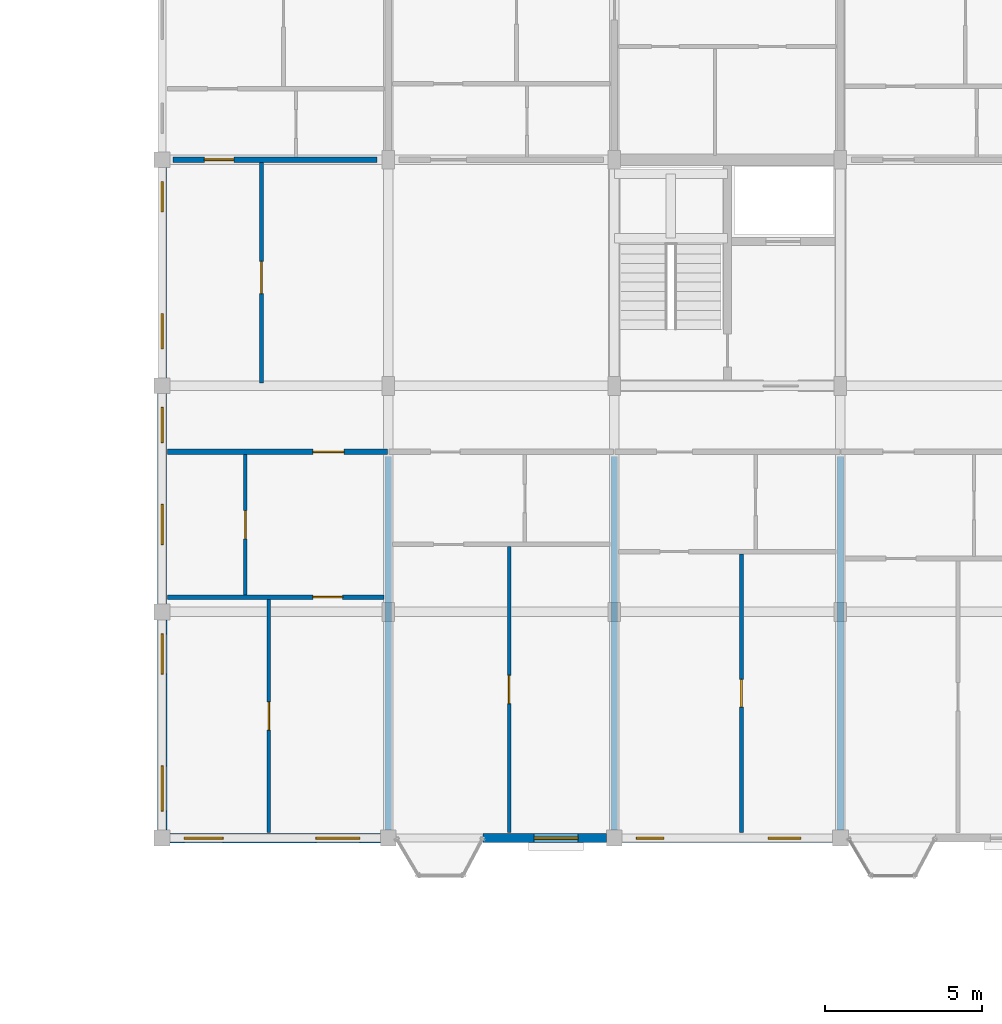
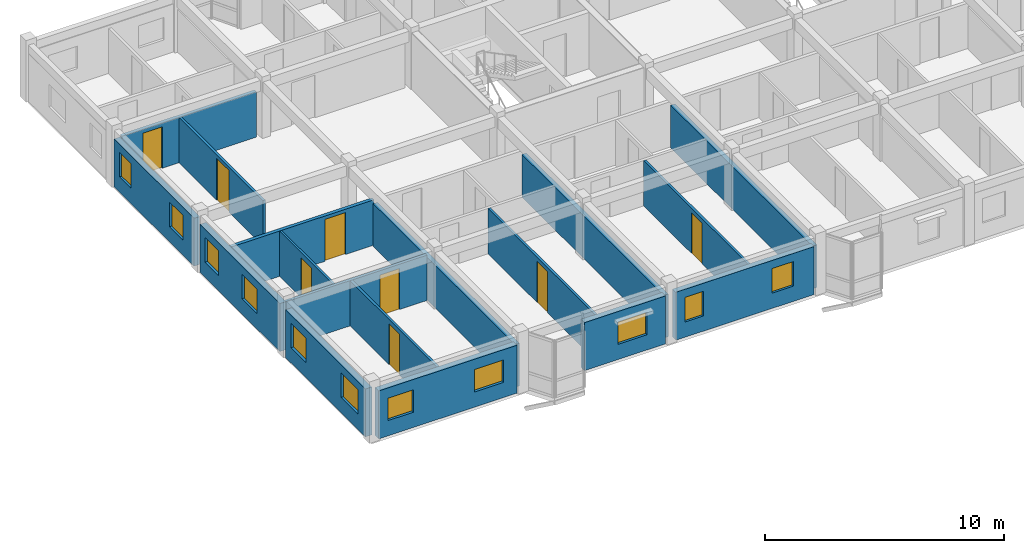
# One storey, part 55 of 65: 17 walls, 11 windows, 8 doors, 19 openings.
"""IFC4 building model written with IfcOpenShell, lengths in metres."""

from ifc_helpers import new_model, si_unit, direction, frame, frame_2d, origin, place, context, subcontext, project, spatial, rectangle, extrude, material, layer, layer_set, type_object, element, fill, save


model = new_model("IFC4")

# Units and contexts
model_context = context("Model", 3, precision=1e-05, world=origin(), true_north=direction((0.0, 1.0)))
body_context = subcontext(model_context, "Body", "Model", "MODEL_VIEW")
ifc_project = project(units=[si_unit("LENGTHUNIT", "METRE"), si_unit("AREAUNIT", "SQUARE_METRE"), si_unit("VOLUMEUNIT", "CUBIC_METRE"), si_unit("PLANEANGLEUNIT", "RADIAN"), si_unit("MASSUNIT", "GRAM", prefix="KILO"), si_unit("THERMODYNAMICTEMPERATUREUNIT", "KELVIN"), si_unit("POWERUNIT", "WATT")], contexts=[model_context])

# Site, building, storey
site_placement = place(None, origin())
site = spatial("IfcSite", under=ifc_project, at=site_placement, CompositionType="ELEMENT")
building_placement = place(site_placement, origin())
building = spatial("IfcBuilding", under=site, at=building_placement, Name="Tavuni Mirador Residences", CompositionType="ELEMENT")
storey_placement = place(building_placement, frame((0.0, 0.0, 29.699951171875)))
storey = spatial("IfcBuildingStorey", under=building, at=storey_placement, Name="L09", CompositionType="ELEMENT", Elevation=29.699951171875)

# Wall, opening, door
ifc_material_1 = material(Name="Precast concrete C40/50", Category="concrete")
ifc_layer_1 = layer(ifc_material_1, 0.1650390625, Name="Precast concrete C40/50", Category="concrete")
ifc_layer_set_1 = layer_set([ifc_layer_1], Name="Precast concrete C40/50")
wall_type_1 = type_object("IfcWallType", Name="WT-CORR165", PredefinedType="PARTITIONING", material=ifc_layer_set_1)
wall_1_placement = place(storey_placement, frame((10.97509765625, 156.300048828125, 0.0), z_axis=(0.0, 0.0, 1.0), x_axis=(1.0, 0.0, 0.0)))
wall_1 = element("IfcWall", 1, at=wall_1_placement, inside=storey, type_object=wall_type_1, Name="CORW-BLK-C-L09-0-00", PredefinedType="PARTITIONING", context=body_context, shape_type="SweptSolid", body=[
    extrude(rectangle(XDim=7.0048828125, YDim=0.1650390625, at=frame_2d((3.50244140625, 0.0))), origin(), (0.0, 0.0, 1.0), 2.320068359375),
])
opening_1_placement = place(wall_1_placement, frame((4.625, 0.0, 0.0)))
opening_1 = element("IfcOpeningElement", 2, at=opening_1_placement, cuts=wall_1, Name="Opening D-03", PredefinedType="OPENING", context=body_context, shape_type="SweptSolid", body=[
    extrude(rectangle(XDim=1.0, YDim=2.14990234375, at=frame_2d((0.5, 1.074951171875))), frame((0.0, 0.092529296875, 0.0), z_axis=(0.0, -1.0, 0.0), x_axis=(1.0, 0.0, 0.0)), (0.0, 0.0, 1.0), 0.18505859375),
])
ifc_material_2 = material(Name="Solid core iroko timber", Category="wood")
door_type_1 = type_object("IfcDoorType", Name="DT-FD60-1000", OperationType="NOTDEFINED", PredefinedType="DOOR", material=ifc_material_2)
door_1_placement = place(opening_1_placement, origin())
door_1 = element("IfcDoor", 3, at=door_1_placement, inside=storey, type_object=door_type_1, Name="DR-2751", OperationType="SINGLE_SWING_RIGHT", OverallHeight=2.14990234375, OverallWidth=1.0, PredefinedType="DOOR", context=body_context, shape_type="SweptSolid", body=[
    extrude(rectangle(XDim=1.0, YDim=2.14990234375, at=frame_2d((0.5, 1.074951171875))), frame((0.0, 0.02490234375, 0.0), z_axis=(0.0, -1.0, 0.0), x_axis=(1.0, 0.0, 0.0)), (0.0, 0.0, 1.0), 0.050048828125),
])
fill(opening_1, door_1)

wall_2_placement = place(storey_placement, frame((11.14990234375, 165.60009765625, 0.0), z_axis=(0.0, 0.0, 1.0), x_axis=(1.0, 0.0, 0.0)))
wall_2 = element("IfcWall", 4, at=wall_2_placement, inside=storey, type_object=wall_type_1, Name="CORW-BLK-C-L09-1-00", PredefinedType="PARTITIONING", context=body_context, shape_type="SweptSolid", body=[
    extrude(rectangle(XDim=6.5, YDim=0.1650390625, at=frame_2d((3.25, 0.0))), origin(), (0.0, 0.0, 1.0), 2.320068359375),
])
opening_2_placement = place(wall_2_placement, frame((1.0, 0.0, 0.0)))
opening_2 = element("IfcOpeningElement", 5, at=opening_2_placement, cuts=wall_2, Name="Opening D-19", PredefinedType="OPENING", context=body_context, shape_type="SweptSolid", body=[
    extrude(rectangle(XDim=0.93994140625, YDim=2.1201171875, at=frame_2d((0.469970703125, 1.06005859375))), frame((0.0, 0.092529296875, 0.0), z_axis=(0.0, -1.0, 0.0), x_axis=(1.0, 0.0, 0.0)), (0.0, 0.0, 1.0), 0.18505859375),
])
door_type_2 = type_object("IfcDoorType", Name="DT-FD60-940", OperationType="NOTDEFINED", PredefinedType="DOOR", material=ifc_material_2)
door_2_placement = place(opening_2_placement, origin())
door_2 = element("IfcDoor", 6, at=door_2_placement, inside=storey, type_object=door_type_2, Name="DR-2758", OperationType="SINGLE_SWING_LEFT", OverallHeight=2.1201171875, OverallWidth=0.93994140625, PredefinedType="DOOR", context=body_context, shape_type="SweptSolid", body=[
    extrude(rectangle(XDim=0.93994140625, YDim=2.1201171875, at=frame_2d((0.469970703125, 1.06005859375))), frame((0.0, 0.02490234375, 0.0), z_axis=(0.0, -1.0, 0.0), x_axis=(1.0, 0.0, 0.0)), (0.0, 0.0, 1.0), 0.050048828125),
])
fill(opening_2, door_2)

# Wall, openings, windows
ifc_material_3 = material(Name="Sgraffito lime-rendered precast concrete C40/50", Category="concrete")
ifc_layer_2 = layer(ifc_material_3, 0.27490234375, Name="Sgraffito lime-rendered precast concrete C40/50", Category="concrete")
ifc_layer_set_2 = layer_set([ifc_layer_2], Name="Sgraffito lime-rendered precast concrete C40/50")
wall_type_2 = type_object("IfcWallType", Name="WT-EXT-PC275", PredefinedType="SOLIDWALL", material=ifc_layer_set_2)
wall_3_placement = place(storey_placement, frame((25.449951171875, 144.0, 0.0), z_axis=(0.0, 0.0, 1.0), x_axis=(1.0, 0.0, 0.0)))
wall_3 = element("IfcWall", 7, at=wall_3_placement, inside=storey, type_object=wall_type_2, Name="EW-BLK-C-L09-S02", PredefinedType="SOLIDWALL", context=body_context, shape_type="SweptSolid", body=[
    extrude(rectangle(XDim=6.699951171875, YDim=0.27490234375, at=frame_2d((3.35009765625, 0.0))), origin(), (0.0, 0.0, 1.0), 2.455078125),
])
opening_3_placement = place(wall_3_placement, frame((0.449951171875, 0.0, 0.780029296875)))
opening_3 = element("IfcOpeningElement", 8, at=opening_3_placement, cuts=wall_3, Name="Opening WN-09", PredefinedType="OPENING", context=body_context, shape_type="SweptSolid", body=[
    extrude(rectangle(XDim=0.8798828125, YDim=1.260009765625, at=frame_2d((0.43994140625, 0.6298828125))), frame((0.0, 0.1474609375, 0.0), z_axis=(0.0, -1.0, 0.0), x_axis=(1.0, 0.0, 0.0)), (0.0, 0.0, 1.0), 0.294921875),
])
opening_4_placement = place(wall_3_placement, frame((4.64990234375, 0.0, 0.780029296875)))
opening_4 = element("IfcOpeningElement", 9, at=opening_4_placement, cuts=wall_3, Name="Opening WN-11", PredefinedType="OPENING", context=body_context, shape_type="SweptSolid", body=[
    extrude(rectangle(XDim=1.0400390625, YDim=1.260009765625, at=frame_2d((0.52001953125, 0.6298828125))), frame((0.0, 0.1474609375, 0.0), z_axis=(0.0, -1.0, 0.0), x_axis=(1.0, 0.0, 0.0)), (0.0, 0.0, 1.0), 0.294921875),
])
ifc_material_4 = material(Name="Laminated solar-control glass", Category="glass")
window_type_1 = type_object("IfcWindowType", Name="WNT-09", PartitioningType="SINGLE_PANEL", PredefinedType="WINDOW", material=ifc_material_4)
window_1_placement = place(opening_3_placement, origin())
window_1 = element("IfcWindow", 10, at=window_1_placement, inside=storey, type_object=window_type_1, Name="WIN-1229", OverallHeight=1.260009765625, OverallWidth=0.8798828125, PartitioningType="SINGLE_PANEL", PredefinedType="WINDOW", context=body_context, shape_type="SweptSolid", body=[
    extrude(rectangle(XDim=0.8798828125, YDim=1.260009765625, at=frame_2d((0.43994140625, 0.6298828125))), frame((0.0, 0.030029296875, 0.0), z_axis=(0.0, -1.0, 0.0), x_axis=(1.0, 0.0, 0.0)), (0.0, 0.0, 1.0), 0.06005859375),
])
fill(opening_3, window_1)
window_type_2 = type_object("IfcWindowType", Name="WNT-11", PartitioningType="SINGLE_PANEL", PredefinedType="WINDOW", material=ifc_material_4)
window_2_placement = place(opening_4_placement, origin())
window_2 = element("IfcWindow", 11, at=window_2_placement, inside=storey, type_object=window_type_2, Name="WIN-1230", OverallHeight=1.260009765625, OverallWidth=1.0400390625, PartitioningType="SINGLE_PANEL", PredefinedType="WINDOW", context=body_context, shape_type="SweptSolid", body=[
    extrude(rectangle(XDim=1.0400390625, YDim=1.260009765625, at=frame_2d((0.52001953125, 0.6298828125))), frame((0.0, 0.030029296875, 0.0), z_axis=(0.0, -1.0, 0.0), x_axis=(1.0, 0.0, 0.0)), (0.0, 0.0, 1.0), 0.06005859375),
])
fill(opening_4, window_2)

wall_4_placement = place(storey_placement, frame((10.800048828125, 165.35009765625, 0.0), z_axis=(0.0, 0.0, 1.0), x_axis=(0.0, -1.0, 0.0)))
wall_4 = element("IfcWall", 12, at=wall_4_placement, inside=storey, type_object=wall_type_2, Name="EW-BLK-C-L09-W02", PredefinedType="SOLIDWALL", context=body_context, shape_type="SweptSolid", body=[
    extrude(rectangle(XDim=6.7001953125, YDim=0.27490234375, at=frame_2d((3.35009765625, 0.0))), origin(), (0.0, 0.0, 1.0), 2.455078125),
])
opening_5_placement = place(wall_4_placement, frame((0.449951171875, 0.0, 0.780029296875)))
opening_5 = element("IfcOpeningElement", 13, at=opening_5_placement, cuts=wall_4, Name="Opening WN-10", PredefinedType="OPENING", context=body_context, shape_type="SweptSolid", body=[
    extrude(rectangle(XDim=0.9599609375, YDim=1.260009765625, at=frame_2d((0.47998046875, 0.6298828125))), frame((0.0, 0.1474609375, 0.0), z_axis=(0.0, -1.0, 0.0), x_axis=(1.0, 0.0, 0.0)), (0.0, 0.0, 1.0), 0.294921875),
])
opening_6_placement = place(wall_4_placement, frame((4.64990234375, 0.0, 0.780029296875)))
opening_6 = element("IfcOpeningElement", 14, at=opening_6_placement, cuts=wall_4, Name="Opening WN-12", PredefinedType="OPENING", context=body_context, shape_type="SweptSolid", body=[
    extrude(rectangle(XDim=1.1201171875, YDim=1.260009765625, at=frame_2d((0.56005859375, 0.6298828125))), frame((0.0, 0.1474609375, 0.0), z_axis=(0.0, -1.0, 0.0), x_axis=(1.0, 0.0, 0.0)), (0.0, 0.0, 1.0), 0.294921875),
])
window_type_3 = type_object("IfcWindowType", Name="WNT-10", PartitioningType="SINGLE_PANEL", PredefinedType="WINDOW", material=ifc_material_4)
window_3_placement = place(opening_5_placement, origin())
window_3 = element("IfcWindow", 15, at=window_3_placement, inside=storey, type_object=window_type_3, Name="WIN-1260", OverallHeight=1.260009765625, OverallWidth=0.9599609375, PartitioningType="SINGLE_PANEL", PredefinedType="WINDOW", context=body_context, shape_type="SweptSolid", body=[
    extrude(rectangle(XDim=0.9599609375, YDim=1.260009765625, at=frame_2d((0.47998046875, 0.6298828125))), frame((0.0, 0.030029296875, 0.0), z_axis=(0.0, -1.0, 0.0), x_axis=(1.0, 0.0, 0.0)), (0.0, 0.0, 1.0), 0.06005859375),
])
fill(opening_5, window_3)
window_type_4 = type_object("IfcWindowType", Name="WNT-12", PartitioningType="SINGLE_PANEL", PredefinedType="WINDOW", material=ifc_material_4)
window_4_placement = place(opening_6_placement, origin())
window_4 = element("IfcWindow", 16, at=window_4_placement, inside=storey, type_object=window_type_4, Name="WIN-1261", OverallHeight=1.260009765625, OverallWidth=1.1201171875, PartitioningType="SINGLE_PANEL", PredefinedType="WINDOW", context=body_context, shape_type="SweptSolid", body=[
    extrude(rectangle(XDim=1.1201171875, YDim=1.260009765625, at=frame_2d((0.56005859375, 0.6298828125))), frame((0.0, 0.030029296875, 0.0), z_axis=(0.0, -1.0, 0.0), x_axis=(1.0, 0.0, 0.0)), (0.0, 0.0, 1.0), 0.06005859375),
])
fill(opening_6, window_4)

# Wall, opening, window
ifc_layer_3 = layer(ifc_material_3, 0.2900390625, Name="Sgraffito lime-rendered precast concrete C40/50", Category="concrete")
ifc_layer_set_3 = layer_set([ifc_layer_3], Name="Sgraffito lime-rendered precast concrete C40/50")
wall_type_3 = type_object("IfcWallType", Name="WT-EXT-PC290", PredefinedType="SOLIDWALL", material=ifc_layer_set_3)
wall_5_placement = place(storey_placement, frame((21.02001953125, 144.0, 0.0), z_axis=(0.0, 0.0, 1.0), x_axis=(1.0, 0.0, 0.0)))
wall_5 = element("IfcWall", 17, at=wall_5_placement, inside=storey, type_object=wall_type_3, Name="EW-BLK-C-L09-S01", PredefinedType="SOLIDWALL", context=body_context, shape_type="SweptSolid", body=[
    extrude(rectangle(XDim=3.929931640625, YDim=0.2900390625, at=frame_2d((1.96484375, 0.0))), origin(), (0.0, 0.0, 1.0), 2.455078125),
])
opening_7_placement = place(wall_5_placement, frame((1.625, 0.0, 0.780029296875)))
opening_7 = element("IfcOpeningElement", 18, at=opening_7_placement, cuts=wall_5, Name="Opening WN-08", PredefinedType="OPENING", context=body_context, shape_type="SweptSolid", body=[
    extrude(rectangle(XDim=1.39990234375, YDim=1.14990234375, at=frame_2d((0.699951171875, 0.574951171875))), frame((0.0, 0.155029296875, 0.0), z_axis=(0.0, -1.0, 0.0), x_axis=(1.0, 0.0, 0.0)), (0.0, 0.0, 1.0), 0.31005859375),
])
window_type_5 = type_object("IfcWindowType", Name="WNT-08", PartitioningType="SINGLE_PANEL", PredefinedType="WINDOW", material=ifc_material_4)
window_5_placement = place(opening_7_placement, origin())
window_5 = element("IfcWindow", 19, at=window_5_placement, inside=storey, type_object=window_type_5, Name="WIN-1228", OverallHeight=1.14990234375, OverallWidth=1.39990234375, PartitioningType="SINGLE_PANEL", PredefinedType="WINDOW", context=body_context, shape_type="SweptSolid", body=[
    extrude(rectangle(XDim=1.39990234375, YDim=1.14990234375, at=frame_2d((0.699951171875, 0.574951171875))), frame((0.0, 0.030029296875, 0.0), z_axis=(0.0, -1.0, 0.0), x_axis=(1.0, 0.0, 0.0)), (0.0, 0.0, 1.0), 0.06005859375),
])
fill(opening_7, window_5)

# Wall, openings, windows
wall_6_placement = place(storey_placement, frame((10.800048828125, 158.14990234375, 0.0), z_axis=(0.0, 0.0, 1.0), x_axis=(0.0, -1.0, 0.0)))
wall_6 = element("IfcWall", 20, at=wall_6_placement, inside=storey, type_object=wall_type_3, Name="EW-BLK-C-L09-W01", PredefinedType="SOLIDWALL", context=body_context, shape_type="SweptSolid", body=[
    extrude(rectangle(XDim=6.699951171875, YDim=0.2900390625, at=frame_2d((3.35009765625, 0.0))), origin(), (0.0, 0.0, 1.0), 2.455078125),
])
opening_8_placement = place(wall_6_placement, frame((0.43505859375, 0.0, 0.780029296875)))
opening_8 = element("IfcOpeningElement", 21, at=opening_8_placement, cuts=wall_6, Name="Opening WN-12", PredefinedType="OPENING", context=body_context, shape_type="SweptSolid", body=[
    extrude(rectangle(XDim=1.1201171875, YDim=1.260009765625, at=frame_2d((0.56005859375, 0.6298828125))), frame((0.0, 0.155029296875, 0.0), z_axis=(0.0, -1.0, 0.0), x_axis=(1.0, 0.0, 0.0)), (0.0, 0.0, 1.0), 0.31005859375),
])
opening_9_placement = place(wall_6_placement, frame((3.52490234375, 0.0, 0.780029296875)))
opening_9 = element("IfcOpeningElement", 22, at=opening_9_placement, cuts=wall_6, Name="Opening WN-14", PredefinedType="OPENING", context=body_context, shape_type="SweptSolid", body=[
    extrude(rectangle(XDim=1.280029296875, YDim=1.260009765625, at=frame_2d((0.64013671875, 0.6298828125))), frame((0.0, 0.155029296875, 0.0), z_axis=(0.0, -1.0, 0.0), x_axis=(1.0, 0.0, 0.0)), (0.0, 0.0, 1.0), 0.31005859375),
])
window_6_placement = place(opening_8_placement, origin())
window_6 = element("IfcWindow", 23, at=window_6_placement, inside=storey, type_object=window_type_4, Name="WIN-1262", OverallHeight=1.260009765625, OverallWidth=1.1201171875, PartitioningType="SINGLE_PANEL", PredefinedType="WINDOW", context=body_context, shape_type="SweptSolid", body=[
    extrude(rectangle(XDim=1.1201171875, YDim=1.260009765625, at=frame_2d((0.56005859375, 0.6298828125))), frame((0.0, 0.030029296875, 0.0), z_axis=(0.0, -1.0, 0.0), x_axis=(1.0, 0.0, 0.0)), (0.0, 0.0, 1.0), 0.06005859375),
])
fill(opening_8, window_6)
window_type_6 = type_object("IfcWindowType", Name="WNT-14", PartitioningType="SINGLE_PANEL", PredefinedType="WINDOW", material=ifc_material_4)
window_7_placement = place(opening_9_placement, origin())
window_7 = element("IfcWindow", 24, at=window_7_placement, inside=storey, type_object=window_type_6, Name="WIN-1263", OverallHeight=1.260009765625, OverallWidth=1.280029296875, PartitioningType="SINGLE_PANEL", PredefinedType="WINDOW", context=body_context, shape_type="SweptSolid", body=[
    extrude(rectangle(XDim=1.280029296875, YDim=1.260009765625, at=frame_2d((0.64013671875, 0.6298828125))), frame((0.0, 0.030029296875, 0.0), z_axis=(0.0, -1.0, 0.0), x_axis=(1.0, 0.0, 0.0)), (0.0, 0.0, 1.0), 0.06005859375),
])
fill(opening_9, window_7)

ifc_layer_4 = layer(ifc_material_3, 0.304931640625, Name="Sgraffito lime-rendered precast concrete C40/50", Category="concrete")
ifc_layer_set_4 = layer_set([ifc_layer_4], Name="Sgraffito lime-rendered precast concrete C40/50")
wall_type_4 = type_object("IfcWallType", Name="WT-EXT-PC305", PredefinedType="SOLIDWALL", material=ifc_layer_set_4)
wall_7_placement = place(storey_placement, frame((11.050048828125, 144.0, 0.0), z_axis=(0.0, 0.0, 1.0), x_axis=(1.0, 0.0, 0.0)))
wall_7 = element("IfcWall", 25, at=wall_7_placement, inside=storey, type_object=wall_type_4, Name="EW-BLK-C-L09-S00", PredefinedType="SOLIDWALL", context=body_context, shape_type="SweptSolid", body=[
    extrude(rectangle(XDim=6.699951171875, YDim=0.304931640625, at=frame_2d((3.35009765625, 0.0))), origin(), (0.0, 0.0, 1.0), 2.455078125),
])
opening_10_placement = place(wall_7_placement, frame((0.449951171875, 0.0, 0.780029296875)))
opening_10 = element("IfcOpeningElement", 26, at=opening_10_placement, cuts=wall_7, Name="Opening WN-06", PredefinedType="OPENING", context=body_context, shape_type="SweptSolid", body=[
    extrude(rectangle(XDim=1.239990234375, YDim=1.14990234375, at=frame_2d((0.6201171875, 0.574951171875))), frame((0.0, 0.16259765625, 0.0), z_axis=(0.0, -1.0, 0.0), x_axis=(1.0, 0.0, 0.0)), (0.0, 0.0, 1.0), 0.324951171875),
])
opening_11_placement = place(wall_7_placement, frame((4.64990234375, 0.0, 0.780029296875)))
opening_11 = element("IfcOpeningElement", 27, at=opening_11_placement, cuts=wall_7, Name="Opening WN-08", PredefinedType="OPENING", context=body_context, shape_type="SweptSolid", body=[
    extrude(rectangle(XDim=1.39990234375, YDim=1.14990234375, at=frame_2d((0.699951171875, 0.574951171875))), frame((0.0, 0.16259765625, 0.0), z_axis=(0.0, -1.0, 0.0), x_axis=(1.0, 0.0, 0.0)), (0.0, 0.0, 1.0), 0.324951171875),
])
window_type_7 = type_object("IfcWindowType", Name="WNT-06", PartitioningType="SINGLE_PANEL", PredefinedType="WINDOW", material=ifc_material_4)
window_8_placement = place(opening_10_placement, origin())
window_8 = element("IfcWindow", 28, at=window_8_placement, inside=storey, type_object=window_type_7, Name="WIN-1226", OverallHeight=1.14990234375, OverallWidth=1.239990234375, PartitioningType="SINGLE_PANEL", PredefinedType="WINDOW", context=body_context, shape_type="SweptSolid", body=[
    extrude(rectangle(XDim=1.239990234375, YDim=1.14990234375, at=frame_2d((0.6201171875, 0.574951171875))), frame((0.0, 0.030029296875, 0.0), z_axis=(0.0, -1.0, 0.0), x_axis=(1.0, 0.0, 0.0)), (0.0, 0.0, 1.0), 0.06005859375),
])
fill(opening_10, window_8)
window_9_placement = place(opening_11_placement, origin())
window_9 = element("IfcWindow", 29, at=window_9_placement, inside=storey, type_object=window_type_5, Name="WIN-1227", OverallHeight=1.14990234375, OverallWidth=1.39990234375, PartitioningType="SINGLE_PANEL", PredefinedType="WINDOW", context=body_context, shape_type="SweptSolid", body=[
    extrude(rectangle(XDim=1.39990234375, YDim=1.14990234375, at=frame_2d((0.699951171875, 0.574951171875))), frame((0.0, 0.030029296875, 0.0), z_axis=(0.0, -1.0, 0.0), x_axis=(1.0, 0.0, 0.0)), (0.0, 0.0, 1.0), 0.06005859375),
])
fill(opening_11, window_9)

wall_8_placement = place(storey_placement, frame((10.800048828125, 150.949951171875, 0.0), z_axis=(0.0, 0.0, 1.0), x_axis=(0.0, -1.0, 0.0)))
wall_8 = element("IfcWall", 30, at=wall_8_placement, inside=storey, type_object=wall_type_4, Name="EW-BLK-C-L09-W00", PredefinedType="SOLIDWALL", context=body_context, shape_type="SweptSolid", body=[
    extrude(rectangle(XDim=6.699951171875, YDim=0.304931640625, at=frame_2d((3.35009765625, 0.0))), origin(), (0.0, 0.0, 1.0), 2.455078125),
])
opening_12_placement = place(wall_8_placement, frame((0.449951171875, 0.0, 0.780029296875)))
opening_12 = element("IfcOpeningElement", 31, at=opening_12_placement, cuts=wall_8, Name="Opening WN-14", PredefinedType="OPENING", context=body_context, shape_type="SweptSolid", body=[
    extrude(rectangle(XDim=1.280029296875, YDim=1.260009765625, at=frame_2d((0.64013671875, 0.6298828125))), frame((0.0, 0.16259765625, 0.0), z_axis=(0.0, -1.0, 0.0), x_axis=(1.0, 0.0, 0.0)), (0.0, 0.0, 1.0), 0.324951171875),
])
opening_13_placement = place(wall_8_placement, frame((4.64990234375, 0.0, 0.780029296875)))
opening_13 = element("IfcOpeningElement", 32, at=opening_13_placement, cuts=wall_8, Name="Opening WN-16", PredefinedType="OPENING", context=body_context, shape_type="SweptSolid", body=[
    extrude(rectangle(XDim=1.43994140625, YDim=1.260009765625, at=frame_2d((0.719970703125, 0.6298828125))), frame((0.0, 0.16259765625, 0.0), z_axis=(0.0, -1.0, 0.0), x_axis=(1.0, 0.0, 0.0)), (0.0, 0.0, 1.0), 0.324951171875),
])
window_10_placement = place(opening_12_placement, origin())
window_10 = element("IfcWindow", 33, at=window_10_placement, inside=storey, type_object=window_type_6, Name="WIN-1264", OverallHeight=1.260009765625, OverallWidth=1.280029296875, PartitioningType="SINGLE_PANEL", PredefinedType="WINDOW", context=body_context, shape_type="SweptSolid", body=[
    extrude(rectangle(XDim=1.280029296875, YDim=1.260009765625, at=frame_2d((0.64013671875, 0.6298828125))), frame((0.0, 0.030029296875, 0.0), z_axis=(0.0, -1.0, 0.0), x_axis=(1.0, 0.0, 0.0)), (0.0, 0.0, 1.0), 0.06005859375),
])
fill(opening_12, window_10)
window_type_8 = type_object("IfcWindowType", Name="WNT-16", PartitioningType="SINGLE_PANEL", PredefinedType="WINDOW", material=ifc_material_4)
window_11_placement = place(opening_13_placement, origin())
window_11 = element("IfcWindow", 34, at=window_11_placement, inside=storey, type_object=window_type_8, Name="WIN-1265", OverallHeight=1.260009765625, OverallWidth=1.43994140625, PartitioningType="SINGLE_PANEL", PredefinedType="WINDOW", context=body_context, shape_type="SweptSolid", body=[
    extrude(rectangle(XDim=1.43994140625, YDim=1.260009765625, at=frame_2d((0.719970703125, 0.6298828125))), frame((0.0, 0.030029296875, 0.0), z_axis=(0.0, -1.0, 0.0), x_axis=(1.0, 0.0, 0.0)), (0.0, 0.0, 1.0), 0.06005859375),
])
fill(opening_13, window_11)

# Wall, opening, door
ifc_material_5 = material(Name="Acoustic gypsum and concrete block partition", Category="concrete")
ifc_layer_5 = layer(ifc_material_5, 0.10498046875, Name="Acoustic gypsum and concrete block partition", Category="concrete")
ifc_layer_set_5 = layer_set([ifc_layer_5], Name="Acoustic gypsum and concrete block partition")
wall_type_5 = type_object("IfcWallType", Name="WT-PART105", PredefinedType="PARTITIONING", material=ifc_layer_set_5)
wall_9_placement = place(storey_placement, frame((13.449951171875, 151.739990234375, 0.0), z_axis=(0.0, 0.0, 1.0), x_axis=(0.0, 1.0, 0.0)))
wall_9 = element("IfcWall", 35, at=wall_9_placement, inside=storey, type_object=wall_type_5, Name="PW-BLK-C-L09-S00-IN1", PredefinedType="PARTITIONING", context=body_context, shape_type="SweptSolid", body=[
    extrude(rectangle(XDim=4.469970703125, YDim=0.10498046875, at=frame_2d((2.23486328125, 0.0))), origin(), (0.0, 0.0, 1.0), 2.320068359375),
])
opening_14_placement = place(wall_9_placement, frame((1.784912109375, 0.0, 0.0)))
opening_14 = element("IfcOpeningElement", 36, at=opening_14_placement, cuts=wall_9, Name="Opening D-09", PredefinedType="OPENING", context=body_context, shape_type="SweptSolid", body=[
    extrude(rectangle(XDim=0.89990234375, YDim=2.050048828125, at=frame_2d((0.449951171875, 1.02490234375))), frame((0.0, 0.0625, 0.0), z_axis=(0.0, -1.0, 0.0), x_axis=(1.0, 0.0, 0.0)), (0.0, 0.0, 1.0), 0.125),
])
door_type_3 = type_object("IfcDoorType", Name="DT-WC900", OperationType="NOTDEFINED", PredefinedType="DOOR", material=ifc_material_2)
door_3_placement = place(opening_14_placement, origin())
door_3 = element("IfcDoor", 37, at=door_3_placement, inside=storey, type_object=door_type_3, Name="DR-4115", OperationType="SINGLE_SWING_LEFT", OverallHeight=2.050048828125, OverallWidth=0.89990234375, PredefinedType="DOOR", context=body_context, shape_type="SweptSolid", body=[
    extrude(rectangle(XDim=0.89990234375, YDim=2.050048828125, at=frame_2d((0.449951171875, 1.02490234375))), frame((0.0, 0.02490234375, 0.0), z_axis=(0.0, -1.0, 0.0), x_axis=(1.0, 0.0, 0.0)), (0.0, 0.0, 1.0), 0.050048828125),
])
fill(opening_14, door_3)

ifc_layer_6 = layer(ifc_material_5, 0.114990234375, Name="Acoustic gypsum and concrete block partition", Category="concrete")
ifc_layer_set_6 = layer_set([ifc_layer_6], Name="Acoustic gypsum and concrete block partition")
wall_type_6 = type_object("IfcWallType", Name="WT-PART115", PredefinedType="PARTITIONING", material=ifc_layer_set_6)
wall_10_placement = place(storey_placement, frame((14.199951171875, 144.175048828125, 0.0), z_axis=(0.0, 0.0, 1.0), x_axis=(0.0, 1.0, 0.0)))
wall_10 = element("IfcWall", 38, at=wall_10_placement, inside=storey, type_object=wall_type_6, Name="PW-BLK-C-L09-S00-OUT", PredefinedType="PARTITIONING", context=body_context, shape_type="SweptSolid", body=[
    extrude(rectangle(XDim=7.425048828125, YDim=0.114990234375, at=frame_2d((3.71240234375, 0.0))), origin(), (0.0, 0.0, 1.0), 2.320068359375),
])
opening_15_placement = place(wall_10_placement, frame((3.262451171875, 0.0, 0.0)))
opening_15 = element("IfcOpeningElement", 39, at=opening_15_placement, cuts=wall_10, Name="Opening D-07", PredefinedType="OPENING", context=body_context, shape_type="SweptSolid", body=[
    extrude(rectangle(XDim=0.89990234375, YDim=2.10009765625, at=frame_2d((0.449951171875, 1.050048828125))), frame((0.0, 0.0673828125, 0.0), z_axis=(0.0, -1.0, 0.0), x_axis=(1.0, 0.0, 0.0)), (0.0, 0.0, 1.0), 0.135009765625),
])
door_type_4 = type_object("IfcDoorType", Name="DT-BED900", OperationType="NOTDEFINED", PredefinedType="DOOR", material=ifc_material_2)
door_4_placement = place(opening_15_placement, origin())
door_4 = element("IfcDoor", 40, at=door_4_placement, inside=storey, type_object=door_type_4, Name="DR-4114", OperationType="SINGLE_SWING_RIGHT", OverallHeight=2.10009765625, OverallWidth=0.89990234375, PredefinedType="DOOR", context=body_context, shape_type="SweptSolid", body=[
    extrude(rectangle(XDim=0.89990234375, YDim=2.10009765625, at=frame_2d((0.449951171875, 1.050048828125))), frame((0.0, 0.02490234375, 0.0), z_axis=(0.0, -1.0, 0.0), x_axis=(1.0, 0.0, 0.0)), (0.0, 0.0, 1.0), 0.050048828125),
])
fill(opening_15, door_4)

wall_11_placement = place(storey_placement, frame((21.85009765625, 144.175048828125, 0.0), z_axis=(0.0, 0.0, 1.0), x_axis=(0.0, 1.0, 0.0)))
wall_11 = element("IfcWall", 41, at=wall_11_placement, inside=storey, type_object=wall_type_6, Name="PW-BLK-C-L09-S01-OUT", PredefinedType="PARTITIONING", context=body_context, shape_type="SweptSolid", body=[
    extrude(rectangle(XDim=9.10498046875, YDim=0.114990234375, at=frame_2d((4.552490234375, 0.0))), origin(), (0.0, 0.0, 1.0), 2.320068359375),
])
opening_16_placement = place(wall_11_placement, frame((4.1025390625, 0.0, 0.0)))
opening_16 = element("IfcOpeningElement", 42, at=opening_16_placement, cuts=wall_11, Name="Opening D-07", PredefinedType="OPENING", context=body_context, shape_type="SweptSolid", body=[
    extrude(rectangle(XDim=0.89990234375, YDim=2.10009765625, at=frame_2d((0.449951171875, 1.050048828125))), frame((0.0, 0.0673828125, 0.0), z_axis=(0.0, -1.0, 0.0), x_axis=(1.0, 0.0, 0.0)), (0.0, 0.0, 1.0), 0.135009765625),
])
door_5_placement = place(opening_16_placement, origin())
door_5 = element("IfcDoor", 43, at=door_5_placement, inside=storey, type_object=door_type_4, Name="DR-4120", OperationType="SINGLE_SWING_RIGHT", OverallHeight=2.10009765625, OverallWidth=0.89990234375, PredefinedType="DOOR", context=body_context, shape_type="SweptSolid", body=[
    extrude(rectangle(XDim=0.89990234375, YDim=2.10009765625, at=frame_2d((0.449951171875, 1.050048828125))), frame((0.0, 0.02490234375, 0.0), z_axis=(0.0, -1.0, 0.0), x_axis=(1.0, 0.0, 0.0)), (0.0, 0.0, 1.0), 0.050048828125),
])
fill(opening_16, door_5)

wall_12_placement = place(storey_placement, frame((29.25, 144.175048828125, 0.0), z_axis=(0.0, 0.0, 1.0), x_axis=(0.0, 1.0, 0.0)))
wall_12 = element("IfcWall", 44, at=wall_12_placement, inside=storey, type_object=wall_type_6, Name="PW-BLK-C-L09-S02-OUT", PredefinedType="PARTITIONING", context=body_context, shape_type="SweptSolid", body=[
    extrude(rectangle(XDim=8.875, YDim=0.114990234375, at=frame_2d((4.4375, 0.0))), origin(), (0.0, 0.0, 1.0), 2.320068359375),
])
opening_17_placement = place(wall_12_placement, frame((3.99755859375, 0.0, 0.0)))
opening_17 = element("IfcOpeningElement", 45, at=opening_17_placement, cuts=wall_12, Name="Opening D-08", PredefinedType="OPENING", context=body_context, shape_type="SweptSolid", body=[
    extrude(rectangle(XDim=0.8798828125, YDim=2.080078125, at=frame_2d((0.43994140625, 1.0400390625))), frame((0.0, 0.0673828125, 0.0), z_axis=(0.0, -1.0, 0.0), x_axis=(1.0, 0.0, 0.0)), (0.0, 0.0, 1.0), 0.135009765625),
])
door_type_5 = type_object("IfcDoorType", Name="DT-BED880", OperationType="NOTDEFINED", PredefinedType="DOOR", material=ifc_material_2)
door_6_placement = place(opening_17_placement, origin())
door_6 = element("IfcDoor", 46, at=door_6_placement, inside=storey, type_object=door_type_5, Name="DR-4126", OperationType="SINGLE_SWING_LEFT", OverallHeight=2.080078125, OverallWidth=0.8798828125, PredefinedType="DOOR", context=body_context, shape_type="SweptSolid", body=[
    extrude(rectangle(XDim=0.8798828125, YDim=2.080078125, at=frame_2d((0.43994140625, 1.0400390625))), frame((0.0, 0.02490234375, 0.0), z_axis=(0.0, -1.0, 0.0), x_axis=(1.0, 0.0, 0.0)), (0.0, 0.0, 1.0), 0.050048828125),
])
fill(opening_17, door_6)

ifc_layer_7 = layer(ifc_material_5, 0.125, Name="Acoustic gypsum and concrete block partition", Category="concrete")
ifc_layer_set_7 = layer_set([ifc_layer_7], Name="Acoustic gypsum and concrete block partition")
wall_type_7 = type_object("IfcWallType", Name="WT-PART125", PredefinedType="PARTITIONING", material=ifc_layer_set_7)
wall_13_placement = place(storey_placement, frame((13.9599609375, 158.489990234375, 0.0), z_axis=(0.0, 0.0, 1.0), x_axis=(0.0, 1.0, 0.0)))
wall_13 = element("IfcWall", 47, at=wall_13_placement, inside=storey, type_object=wall_type_7, Name="PW-SPN-BLK-C-L09-00", PredefinedType="PARTITIONING", context=body_context, shape_type="SweptSolid", body=[
    extrude(rectangle(XDim=7.02001953125, YDim=0.125, at=frame_2d((3.510009765625, 0.0))), origin(), (0.0, 0.0, 1.0), 2.320068359375),
])
opening_18_placement = place(wall_13_placement, frame((2.85009765625, 0.0, 0.0)))
opening_18 = element("IfcOpeningElement", 48, at=opening_18_placement, cuts=wall_13, Name="Opening D-13", PredefinedType="OPENING", context=body_context, shape_type="SweptSolid", body=[
    extrude(rectangle(XDim=1.02001953125, YDim=2.14990234375, at=frame_2d((0.510009765625, 1.074951171875))), frame((0.0, 0.072509765625, 0.0), z_axis=(0.0, -1.0, 0.0), x_axis=(1.0, 0.0, 0.0)), (0.0, 0.0, 1.0), 0.14501953125),
])
door_type_6 = type_object("IfcDoorType", Name="DT-MTG1020", OperationType="NOTDEFINED", PredefinedType="DOOR", material=ifc_material_2)
door_7_placement = place(opening_18_placement, origin())
door_7 = element("IfcDoor", 49, at=door_7_placement, inside=storey, type_object=door_type_6, Name="DR-4113", OperationType="SINGLE_SWING_RIGHT", OverallHeight=2.14990234375, OverallWidth=1.02001953125, PredefinedType="DOOR", context=body_context, shape_type="SweptSolid", body=[
    extrude(rectangle(XDim=1.02001953125, YDim=2.14990234375, at=frame_2d((0.510009765625, 1.074951171875))), frame((0.0, 0.02490234375, 0.0), z_axis=(0.0, -1.0, 0.0), x_axis=(1.0, 0.0, 0.0)), (0.0, 0.0, 1.0), 0.050048828125),
])
fill(opening_18, door_7)

ifc_layer_8 = layer(ifc_material_5, 0.139892578125, Name="Acoustic gypsum and concrete block partition", Category="concrete")
ifc_layer_set_8 = layer_set([ifc_layer_8], Name="Acoustic gypsum and concrete block partition")
wall_type_8 = type_object("IfcWallType", Name="WT-PART140", PredefinedType="PARTITIONING", material=ifc_layer_set_8)
wall_14_placement = place(storey_placement, frame((10.97509765625, 151.669921875, 0.0), z_axis=(0.0, 0.0, 1.0), x_axis=(1.0, 0.0, 0.0)))
wall_14 = element("IfcWall", 50, at=wall_14_placement, inside=storey, type_object=wall_type_8, Name="PW-BLK-C-L09-S00-MID", PredefinedType="PARTITIONING", context=body_context, shape_type="SweptSolid", body=[
    extrude(rectangle(XDim=6.885009765625, YDim=0.139892578125, at=frame_2d((3.4423828125, 0.0))), origin(), (0.0, 0.0, 1.0), 2.320068359375),
])
opening_19_placement = place(wall_14_placement, frame((4.625, 0.0, 0.0)))
opening_19 = element("IfcOpeningElement", 51, at=opening_19_placement, cuts=wall_14, Name="Opening D-05", PredefinedType="OPENING", context=body_context, shape_type="SweptSolid", body=[
    extrude(rectangle(XDim=0.949951171875, YDim=2.10009765625, at=frame_2d((0.47509765625, 1.050048828125))), frame((0.0, 0.080078125, 0.0), z_axis=(0.0, -1.0, 0.0), x_axis=(1.0, 0.0, 0.0)), (0.0, 0.0, 1.0), 0.159912109375),
])
door_type_7 = type_object("IfcDoorType", Name="DT-INT950", OperationType="NOTDEFINED", PredefinedType="DOOR", material=ifc_material_2)
door_8_placement = place(opening_19_placement, origin())
door_8 = element("IfcDoor", 52, at=door_8_placement, inside=storey, type_object=door_type_7, Name="DR-4116", OperationType="SINGLE_SWING_LEFT", OverallHeight=2.10009765625, OverallWidth=0.949951171875, PredefinedType="DOOR", context=body_context, shape_type="SweptSolid", body=[
    extrude(rectangle(XDim=0.949951171875, YDim=2.10009765625, at=frame_2d((0.47509765625, 1.050048828125))), frame((0.0, 0.02490234375, 0.0), z_axis=(0.0, -1.0, 0.0), x_axis=(1.0, 0.0, 0.0)), (0.0, 0.0, 1.0), 0.050048828125),
])
fill(opening_19, door_8)

# Walls
ifc_layer_9 = layer(ifc_material_1, 0.215087890625, Name="Precast concrete C40/50", Category="concrete")
ifc_layer_set_9 = layer_set([ifc_layer_9], Name="Precast concrete C40/50")
wall_type_9 = type_object("IfcWallType", Name="WT-XW215", PredefinedType="SOLIDWALL", material=ifc_layer_set_9)
for number, where, z_axis, x_axis, name in (
    (53, (18.0, 144.25, 0.0), (0.0, 0.0, 1.0), (0.0, 1.0, 0.0), "XW-BLK-C-L09-S-01"),
    (54, (25.199951171875, 144.25, 0.0), (0.0, 0.0, 1.0), (0.0, 1.0, 0.0), "XW-BLK-C-L09-S-02"),
    (55, (32.39990234375, 144.25, 0.0), (0.0, 0.0, 1.0), (0.0, 1.0, 0.0), "XW-BLK-C-L09-S-03"),
):
    element("IfcWall", number, at=place(storey_placement, frame(where, z_axis=z_axis, x_axis=x_axis)), inside=storey, type_object=wall_type_9, Name=name, PredefinedType="SOLIDWALL", context=body_context, shape_type="SweptSolid", body=[
        extrude(rectangle(XDim=11.89990234375, YDim=0.215087890625, at=frame_2d((5.949951171875, 0.0))), origin(), (0.0, 0.0, 1.0), 2.18505859375),
    ])

save(model, "model.ifc")
